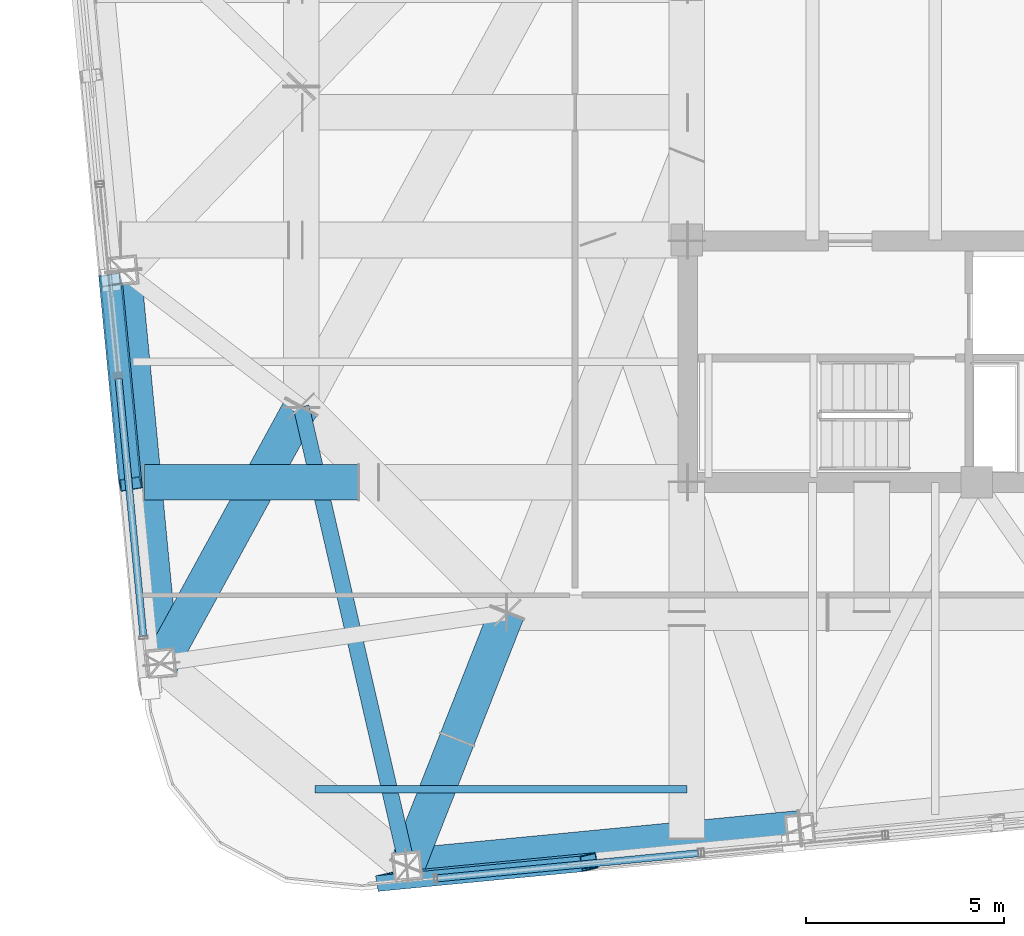
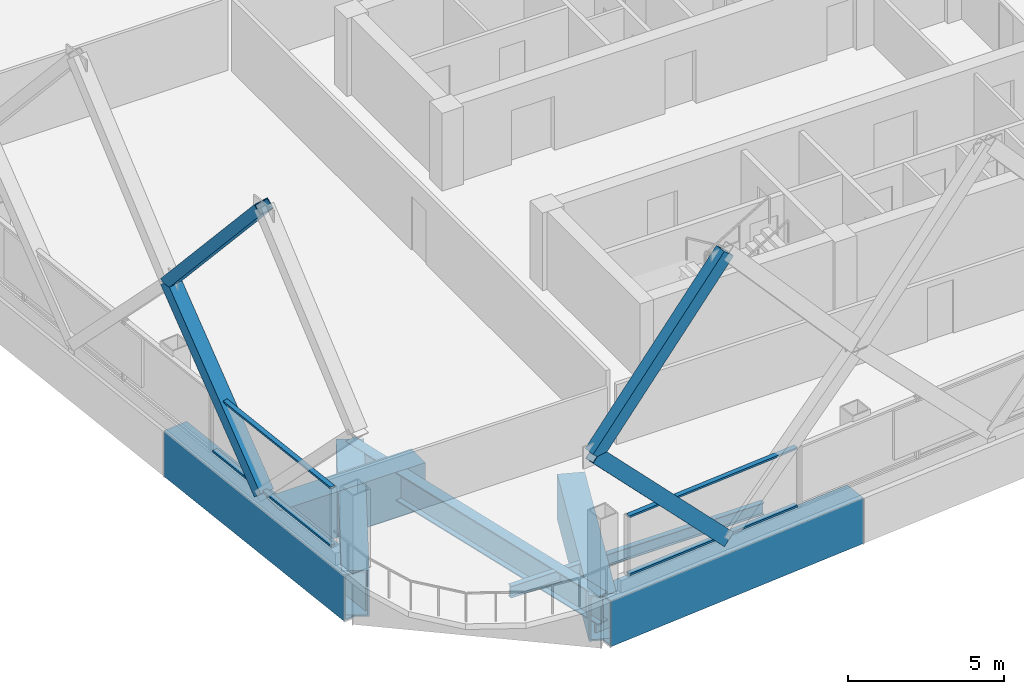
# One storey, part 3 of 37: 8 members, 7 beams, 2 elements without a shape of their own.
"""IFC4 building model written with IfcOpenShell, lengths in metres."""

from ifc_helpers import new_model, si_unit, direction, frame, origin, origin_2d, place, context, subcontext, project, spatial, hollow_rectangle, i_section, extrude, material, layer, layer_set, material_profile, profile_set, type_object, element, aggregate, save


model = new_model("IFC4")

# Units and contexts
model_context = context("Model", 3, precision=1e-05, world=origin(), true_north=direction((0.0, 1.0)))
body_context = subcontext(model_context, "Body", "Model", "MODEL_VIEW")
ifc_project = project(units=[si_unit("LENGTHUNIT", "METRE"), si_unit("AREAUNIT", "SQUARE_METRE"), si_unit("VOLUMEUNIT", "CUBIC_METRE"), si_unit("PLANEANGLEUNIT", "RADIAN"), si_unit("MASSUNIT", "GRAM", prefix="KILO")], contexts=[model_context])

# Site, building, storey
site_placement = place(None, origin())
site = spatial("IfcSite", under=ifc_project, at=site_placement, CompositionType="ELEMENT")
building_placement = place(site_placement, origin())
building = spatial("IfcBuilding", under=site, at=building_placement, Name="Qhalaya Broadcast Tower", CompositionType="ELEMENT")
storey_placement = place(building_placement, frame((0.0, 0.0, 156.14990234375)))
storey = spatial("IfcBuildingStorey", under=building, at=storey_placement, Name="L45", CompositionType="ELEMENT", Elevation=156.14990234375)

# Beams
ifc_material_1 = material(Name="Structural Steel ASTM A572 Grade 50", Category="steel")
ifc_material_profile_1 = material_profile(ifc_material_1, hollow_rectangle(XDim=0.89990234375, YDim=1.800048828125, WallThickness=0.06005859375, at=origin_2d()), Name="BOX 900x1800x60")
ifc_profile_set_1 = profile_set([ifc_material_profile_1], Name="Structural Steel ASTM A572 Grade 50")
beam_type_1 = type_object("IfcBeamType", Name="Block Cantilever Transfer Box Girder TG1", PredefinedType="USERDEFINED", material=ifc_profile_set_1)
for number, where, z_axis, x_axis, name in (
    (1, (-16.44189453125, -18.44775390625, -1.119873046875), (0.995397846936, 0.09582862993, 0.0), (-0.09582862993, 0.995397846936, 0.0), "L45 TG1 L45-SPR-01"),
    (2, (-23.6171875, -3.399658203125, -1.119873046875), (0.09582862993, -0.995397846936, 0.0), (0.995397846936, 0.09582862993, 0.0), "L45 TG1 L45-SPR-15"),
):
    element("IfcBeam", number, at=place(storey_placement, frame(where, z_axis=z_axis, x_axis=x_axis)), inside=storey, type_object=beam_type_1, Name=name, ObjectType="GIRDER", PredefinedType="USERDEFINED", context=body_context, shape_type="SweptSolid", body=[
        extrude(hollow_rectangle(XDim=0.89990234375, YDim=1.800048828125, WallThickness=0.06005859375, at=origin_2d()), origin(), (0.0, 0.0, 1.0), 9.966552734375),
    ])
beam_1_placement = place(storey_placement, frame((-13.919921875, -12.0400390625, -1.119873046875), z_axis=(-0.366238052111, -0.930521192228, 0.0), x_axis=(0.930521192228, -0.366238052111, 0.0)))
element("IfcBeam", 3, at=beam_1_placement, inside=storey, type_object=beam_type_1, Name="L45 Cantilever Transfer Box Girder 01", ObjectType="GIRDER", PredefinedType="USERDEFINED", context=body_context, shape_type="SweptSolid", body=[
    extrude(hollow_rectangle(XDim=0.89990234375, YDim=1.800048828125, WallThickness=0.06005859375, at=origin_2d()), origin(), (0.0, 0.0, 1.0), 6.88623046875),
])
beam_2_placement = place(storey_placement, frame((-19.1201171875, -6.840087890625, -1.119873046875), z_axis=(-0.479616301103, -0.877478320938, 0.0), x_axis=(0.877478320938, -0.479616301103, 0.0)))
element("IfcBeam", 4, at=beam_2_placement, inside=storey, type_object=beam_type_1, Name="L45 Cantilever Transfer Box Girder 16", ObjectType="GIRDER", PredefinedType="USERDEFINED", context=body_context, shape_type="SweptSolid", body=[
    extrude(hollow_rectangle(XDim=0.89990234375, YDim=1.800048828125, WallThickness=0.06005859375, at=origin_2d()), origin(), (0.0, 0.0, 1.0), 7.385009765625),
])
beam_3_placement = place(storey_placement, frame((-23.08203125, -8.75, -1.119873046875), z_axis=(1.0, 0.0, 0.0), x_axis=(0.0, 1.0, 0.0)))
element("IfcBeam", 5, at=beam_3_placement, inside=storey, type_object=beam_type_1, Name="L45 TG1 L45-PGYW1-OV1", ObjectType="GIRDER", PredefinedType="USERDEFINED", context=body_context, shape_type="SweptSolid", body=[
    extrude(hollow_rectangle(XDim=0.89990234375, YDim=1.800048828125, WallThickness=0.06005859375, at=origin_2d()), origin(), (0.0, 0.0, 1.0), 5.39111328125),
])
ifc_material_2 = material(Name="Structural Steel ASTM A992 Grade 50", Category="steel")
ifc_material_profile_2 = material_profile(ifc_material_2, i_section(OverallWidth=0.19189453125, OverallDepth=0.462890625, WebThickness=0.010498046875, FlangeThickness=0.017578125, at=origin_2d()), Name="W18X60")
ifc_profile_set_2 = profile_set([ifc_material_profile_2], Name="Structural Steel ASTM A992 Grade 50")
beam_type_2 = type_object("IfcBeamType", Name="Composite Floor Joist J03", PredefinedType="JOIST", material=ifc_profile_set_2)
beam_4_placement = place(storey_placement, frame((-18.7734375, -16.5, -0.451416015625), z_axis=(1.0, 0.0, 0.0), x_axis=(0.0, 1.0, 0.0)))
element("IfcBeam", 6, at=beam_4_placement, inside=storey, type_object=beam_type_2, Name="L45 J03 L45-JWE1W-1", PredefinedType="JOIST", context=body_context, shape_type="SweptSolid", body=[
    extrude(i_section(OverallWidth=0.19189453125, OverallDepth=0.462890625, WebThickness=0.010498046875, FlangeThickness=0.017578125, at=origin_2d()), origin(), (0.0, 0.0, 1.0), 9.3984375),
])

# Members
ifc_material_profile_3 = material_profile(ifc_material_1, hollow_rectangle(XDim=0.39990234375, YDim=0.550048828125, WallThickness=0.02490234375, at=origin_2d()), Name="BOX 400x550x25")
ifc_profile_set_3 = profile_set([ifc_material_profile_3], Name="Structural Steel ASTM A572 Grade 50")
member_type_1 = type_object("IfcMemberType", Name="Exoskeleton Diamond Diagonal Mid-High EX3", PredefinedType="BRACE", material=ifc_profile_set_3)
member_1_placement = place(storey_placement, frame((-11.84716796875, -18.346923828125, 0.360107421875), z_axis=(-0.690631901239, -0.066504325889, 0.720142174594), x_axis=(0.164115000923, -0.984197121098, 0.066500325516)))
element("IfcMember", 7, at=member_1_placement, inside=storey, type_object=member_type_1, Name="B4 Exoskeleton Diamond Brace S1-D1", PredefinedType="BRACE", context=body_context, shape_type="SweptSolid", body=[
    extrude(hollow_rectangle(XDim=0.39990234375, YDim=0.550048828125, WallThickness=0.02490234375, at=origin_2d()), origin(), (0.0, 0.0, 1.0), 7.470703125),
])
member_2_placement = place(storey_placement, frame((-17.006591796875, -18.84375, 5.739990234375), z_axis=(0.659476642868, 0.06350423358, 0.749037896123), x_axis=(-0.166871781183, 0.983931657235, 0.063500413668)))
element("IfcMember", 8, at=member_2_placement, inside=storey, type_object=member_type_1, Name="B4 Exoskeleton Diamond Brace S1-D3", PredefinedType="BRACE", context=body_context, shape_type="SweptSolid", body=[
    extrude(hollow_rectangle(XDim=0.39990234375, YDim=0.550048828125, WallThickness=0.02490234375, at=origin_2d()), origin(), (0.0, 0.0, 1.0), 7.823486328125),
])
member_3_placement = place(storey_placement, frame((-23.439697265625, -8.790771484375, 0.360107421875), z_axis=(-0.066504325889, 0.690631901239, 0.720142174594), x_axis=(0.164113379892, -0.704339295697, 0.690632286443)))
element("IfcMember", 9, at=member_3_placement, inside=storey, type_object=member_type_1, Name="B4 Exoskeleton Diamond Brace W3-D1", PredefinedType="BRACE", context=body_context, shape_type="SweptSolid", body=[
    extrude(hollow_rectangle(XDim=0.39990234375, YDim=0.550048828125, WallThickness=0.02490234375, at=origin_2d()), origin(), (0.0, 0.0, 1.0), 7.470703125),
])
member_4_placement = place(storey_placement, frame((-23.9365234375, -3.63134765625, 5.739990234375), z_axis=(0.06350423358, -0.659476642868, 0.749037896123), x_axis=(-0.166870327526, 0.732969553362, 0.659477010695)))
element("IfcMember", 10, at=member_4_placement, inside=storey, type_object=member_type_1, Name="B4 Exoskeleton Diamond Brace W3-D3", PredefinedType="BRACE", context=body_context, shape_type="SweptSolid", body=[
    extrude(hollow_rectangle(XDim=0.39990234375, YDim=0.550048828125, WallThickness=0.02490234375, at=origin_2d()), origin(), (0.0, 0.0, 1.0), 7.823486328125),
])

# Beam
ifc_material_profile_4 = material_profile(ifc_material_2, i_section(OverallWidth=0.404052734375, OverallDepth=1.117919921875, WebThickness=0.026123046875, FlangeThickness=0.044921875, at=origin_2d()), Name="W44X335")
ifc_profile_set_4 = profile_set([ifc_material_profile_4], Name="Structural Steel ASTM A992 Grade 50")
beam_type_3 = type_object("IfcBeamType", Name="Podium Long-Span Primary Girder PG1", PredefinedType="USERDEFINED", material=ifc_profile_set_4)
beam_5_placement = place(storey_placement, frame((-19.1201171875, -6.840087890625, -0.77880859375), z_axis=(0.224822087229, -0.9743998302, 0.0), x_axis=(0.9743998302, 0.224822087229, 0.0)))
element("IfcBeam", 11, at=beam_5_placement, inside=storey, type_object=beam_type_3, Name="L45 Column-to-Column Moment Tie Girder 01-2", ObjectType="GIRDER", PredefinedType="USERDEFINED", context=body_context, shape_type="SweptSolid", body=[
    extrude(i_section(OverallWidth=0.404052734375, OverallDepth=1.117919921875, WebThickness=0.026123046875, FlangeThickness=0.044921875, at=origin_2d()), origin(), (0.0, 0.0, 1.0), 11.91259765625),
])

# Curtain wall, members
ifc_material_3 = material(Name="Fired Architectural Terracotta", Category="masonry")
ifc_layer = layer(ifc_material_3, 0.219970703125, Name="Fired Architectural Terracotta")
ifc_layer_set = layer_set([ifc_layer], Name="Fired Architectural Terracotta")
curtain_wall_type = type_object("IfcCurtainWallType", Name="Block-Cap Unitised Terracotta Spandrel Wall CW-07", PredefinedType="NOTDEFINED", material=ifc_layer_set)
curtain_wall_1_placement = place(storey_placement, origin())
curtain_wall_1 = element("IfcCurtainWall", 12, at=curtain_wall_1_placement, inside=storey, type_object=curtain_wall_type, Name="L45 Unitised Curtain Wall L45-CW-S1", PredefinedType="NOTDEFINED")
ifc_material_4 = material(Name="Anodised Aluminium 6063-T6", Category="aluminium")
ifc_material_profile_5 = material_profile(ifc_material_4, hollow_rectangle(XDim=0.074951171875, YDim=0.179931640625, WallThickness=0.00390625, at=origin_2d()), Name="ALU-TRN 75x180x4")
ifc_profile_set_5 = profile_set([ifc_material_profile_5], Name="Anodised Aluminium 6063-T6")
member_type_2 = type_object("IfcMemberType", Name="Unitised Curtain-Wall Transom T01", PredefinedType="USERDEFINED", material=ifc_profile_set_5)
member_5_placement = place(storey_placement, frame((-15.683837890625, -18.756591796875, 0.517578125), z_axis=(0.995395457973, 0.095853441497, 0.0), x_axis=(0.0, 0.0, 1.0)))
member_5 = element("IfcMember", 13, at=member_5_placement, type_object=member_type_2, Name="CW-07 transom 1.1", ObjectType="TRANSOM", PredefinedType="USERDEFINED", context=body_context, shape_type="SweptSolid", body=[
    extrude(hollow_rectangle(XDim=0.074951171875, YDim=0.179931640625, WallThickness=0.00390625, at=origin_2d()), origin(), (0.0, 0.0, 1.0), 6.6298828125),
])
member_6_placement = place(storey_placement, frame((-15.683837890625, -18.756591796875, 2.79248046875), z_axis=(0.995395457973, 0.095853441497, 0.0), x_axis=(0.0, 0.0, 1.0)))
member_6 = element("IfcMember", 14, at=member_6_placement, type_object=member_type_2, Name="CW-07 transom 1.2", ObjectType="TRANSOM", PredefinedType="USERDEFINED", context=body_context, shape_type="SweptSolid", body=[
    extrude(hollow_rectangle(XDim=0.074951171875, YDim=0.179931640625, WallThickness=0.00390625, at=origin_2d()), origin(), (0.0, 0.0, 1.0), 6.6298828125),
])
aggregate(curtain_wall_1, [member_5, member_6])

curtain_wall_2_placement = place(storey_placement, origin())
curtain_wall_2 = element("IfcCurtainWall", 15, at=curtain_wall_2_placement, inside=storey, type_object=curtain_wall_type, Name="L45 Unitised Curtain Wall L45-CW-W5", PredefinedType="NOTDEFINED")
member_7_placement = place(storey_placement, frame((-23.736328125, -6.129150390625, 0.517578125), z_axis=(0.095845499178, -0.995396222761, 0.0), x_axis=(0.0, 0.0, 1.0)))
member_7 = element("IfcMember", 16, at=member_7_placement, type_object=member_type_2, Name="CW-07 transom 1.1", ObjectType="TRANSOM", PredefinedType="USERDEFINED", context=body_context, shape_type="SweptSolid", body=[
    extrude(hollow_rectangle(XDim=0.074951171875, YDim=0.179931640625, WallThickness=0.00390625, at=origin_2d()), origin(), (0.0, 0.0, 1.0), 6.5361328125),
])
member_8_placement = place(storey_placement, frame((-23.736328125, -6.129150390625, 2.79248046875), z_axis=(0.095845499178, -0.995396222761, 0.0), x_axis=(0.0, 0.0, 1.0)))
member_8 = element("IfcMember", 17, at=member_8_placement, type_object=member_type_2, Name="CW-07 transom 1.2", ObjectType="TRANSOM", PredefinedType="USERDEFINED", context=body_context, shape_type="SweptSolid", body=[
    extrude(hollow_rectangle(XDim=0.074951171875, YDim=0.179931640625, WallThickness=0.00390625, at=origin_2d()), origin(), (0.0, 0.0, 1.0), 6.5361328125),
])
aggregate(curtain_wall_2, [member_7, member_8])

save(model, "model.ifc")
